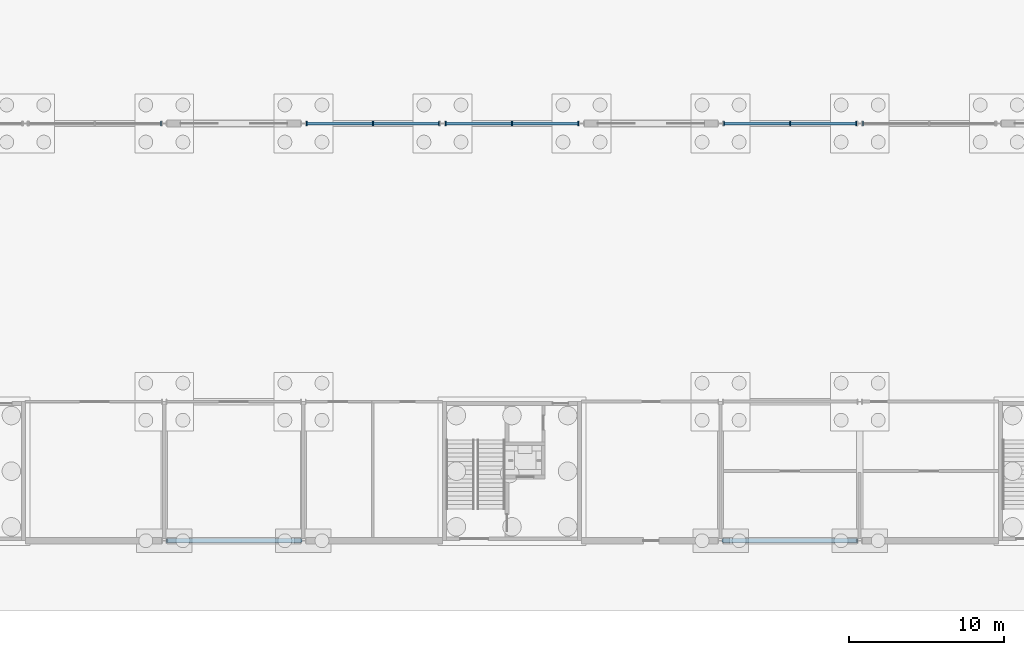
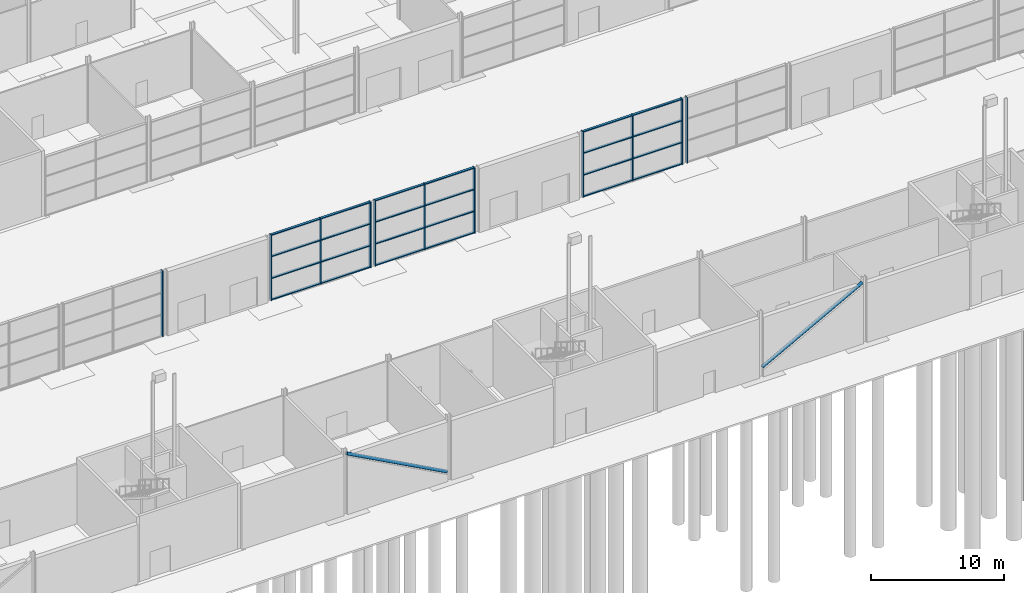
# One storey, part 35 of 97: 37 members, 5 elements without a shape of their own.
"""IFC4 building model written with IfcOpenShell, lengths in metres."""

import ifcopenshell
import ifcopenshell.guid

model = None  # the IFC model being written
_history = None  # IfcOwnerHistory: only IFC2X3 demands one
_inside = {}  # id of a spatial element -> (the spatial element, [elements in it])
_under = {}  # id of a project, library or spatial element -> (it, [spatial elements below it])
_declared = {}  # id of a project -> (the project, [libraries it declares])
_typed = {}  # id of a type object -> (the type object, [elements of that type])
_made_of = {}  # id of a material, layer set ... -> (it, [elements and type objects made of it])


def new_model(schema):
    """Start an empty IFC model of exactly this schema.

    Asked for "IFC4X3", IfcOpenShell would pick the latest addendum, in which some entities
    have other attributes; the version numbers below select the first issue.
    IFC2X3 requires an IfcOwnerHistory on every rooted entity: one is made here for all.
    """
    global model, _history
    if schema == "IFC4X3":
        model = ifcopenshell.file(schema_version=(4, 3, 0, 0))
    else:
        model = ifcopenshell.file(schema=schema)
    _inside.clear()
    _under.clear()
    _declared.clear()
    _typed.clear()
    _made_of.clear()
    _history = None
    if model.schema == "IFC2X3":
        org = make("IfcOrganization", Name="unknown")
        user = make(
            "IfcPersonAndOrganization",
            ThePerson=make("IfcPerson", FamilyName="unknown"),
            TheOrganization=org,
        )
        app = make(
            "IfcApplication",
            ApplicationDeveloper=org,
            Version="unknown",
            ApplicationFullName="unknown",
            ApplicationIdentifier="unknown",
        )
        _history = make(
            "IfcOwnerHistory",
            OwningUser=user,
            OwningApplication=app,
            ChangeAction="ADDED",
            CreationDate=0,
        )
    return model


def make(cls, **values):
    """One entity of the class cls with the attributes given. An attribute that is None is left unset."""
    return model.create_entity(
        cls, **{name: value for name, value in values.items() if value is not None}
    )


def rooted(cls, **values):
    """An entity with a GlobalId (a new one), such as an element, a storey or a relation."""
    return make(cls, GlobalId=ifcopenshell.guid.new(), OwnerHistory=_history, **values)


def si_unit(unit_type, name, prefix=None):
    """IfcSIUnit, for example si_unit("LENGTHUNIT", "METRE", prefix="MILLI")."""
    return make("IfcSIUnit", UnitType=unit_type, Prefix=prefix, Name=name)


def assignment(units):
    """IfcUnitAssignment: the units of a project."""
    return None if units is None else make("IfcUnitAssignment", Units=units)


def point(xyz):
    """IfcCartesianPoint."""
    return None if xyz is None else make("IfcCartesianPoint", Coordinates=xyz)


def direction(xyz):
    """IfcDirection."""
    return None if xyz is None else make("IfcDirection", DirectionRatios=xyz)


def frame(location, z_axis=None, x_axis=None):
    """IfcAxis2Placement3D, a coordinate frame: its origin and axes. An axis left out is left unset."""
    return make(
        "IfcAxis2Placement3D",
        Location=point(location),
        Axis=direction(z_axis),
        RefDirection=direction(x_axis),
    )


def frame_2d(location, x_axis=None):
    """IfcAxis2Placement2D, a coordinate frame in the plane: its origin and x axis."""
    return make(
        "IfcAxis2Placement2D", Location=point(location), RefDirection=direction(x_axis)
    )


def origin():
    """The frame at (0, 0, 0) with its axes left unset."""
    return frame((0.0, 0.0, 0.0))


def origin_2d():
    """The frame at (0, 0) in the plane with its x axis left unset."""
    return frame_2d((0.0, 0.0))


def place(relative_to, where):
    """IfcLocalPlacement: puts the frame where relative to a parent placement (None: the world)."""
    return make(
        "IfcLocalPlacement", PlacementRelTo=relative_to, RelativePlacement=where
    )


def context(
    kind, dimensions, precision=None, world=None, true_north=None, identifier=None
):
    """IfcGeometricRepresentationContext, for example the 3D "Model" context."""
    return make(
        "IfcGeometricRepresentationContext",
        ContextIdentifier=identifier,
        ContextType=kind,
        CoordinateSpaceDimension=dimensions,
        Precision=precision,
        WorldCoordinateSystem=world,
        TrueNorth=true_north,
    )


def subcontext(parent, identifier, kind, view, scale=None):
    """IfcGeometricRepresentationSubContext, for example "Body" below "Model"."""
    return make(
        "IfcGeometricRepresentationSubContext",
        ContextIdentifier=identifier,
        ContextType=kind,
        ParentContext=parent,
        TargetScale=scale,
        TargetView=view,
    )


def project(units=None, contexts=None):
    """IfcProject with its units and contexts."""
    return rooted(
        "IfcProject",
        Name="project",
        RepresentationContexts=contexts,
        UnitsInContext=assignment(units),
    )


def spatial(cls, under=None, at=None, **own):
    """A site, building, storey or space (cls), placed at a placement, below another one or the project."""
    s = rooted(cls, ObjectPlacement=at, **own)
    if under is not None:
        _under.setdefault(under.id(), (under, []))[1].append(s)
    return s


def profile(cls, at=None, kind="AREA", **sizes):
    """A parametric profile (cls). Its sizes go by their IFC names, for example OverallWidth=200.0."""
    return make(cls, ProfileType=kind, Position=at, **sizes)


def rectangle(**sizes):
    """IfcRectangleProfileDef."""
    return profile("IfcRectangleProfileDef", **sizes)


def hollow_circle(**sizes):
    """IfcCircleHollowProfileDef."""
    return profile("IfcCircleHollowProfileDef", **sizes)


def extrude(swept, where, along, depth):
    """IfcExtrudedAreaSolid: the profile swept, set in the frame where, extruded along a direction by depth."""
    return make(
        "IfcExtrudedAreaSolid",
        SweptArea=swept,
        Position=where,
        ExtrudedDirection=direction(along),
        Depth=depth,
    )


def shape(context_of_items, identifier, shape_type, items):
    """IfcShapeRepresentation: the items that make up one representation, for example the "Body"."""
    return make(
        "IfcShapeRepresentation",
        ContextOfItems=context_of_items,
        RepresentationIdentifier=identifier,
        RepresentationType=shape_type,
        Items=items,
    )


def material(Name=None, Category=None):
    """IfcMaterial."""
    return make("IfcMaterial", Name=Name, Category=Category)


def layer(
    of_material, thickness, ventilated=None, Name=None, Category=None, Priority=None
):
    """IfcMaterialLayer: one layer of a wall or slab, of a material (None: an air gap)."""
    return make(
        "IfcMaterialLayer",
        Material=of_material,
        LayerThickness=thickness,
        IsVentilated=ventilated,
        Name=Name,
        Category=Category,
        Priority=Priority,
    )


def layer_set(layers, Name=None):
    """IfcMaterialLayerSet."""
    return make("IfcMaterialLayerSet", MaterialLayers=layers, LayerSetName=Name)


def material_profile(
    of_material, cross_section, Name=None, Category=None, Priority=None
):
    """IfcMaterialProfile: a cross section and its material."""
    return make(
        "IfcMaterialProfile",
        Name=Name,
        Material=of_material,
        Profile=cross_section,
        Priority=Priority,
        Category=Category,
    )


def profile_set(profiles, Name=None, composite=None):
    """IfcMaterialProfileSet."""
    return make(
        "IfcMaterialProfileSet",
        Name=Name,
        MaterialProfiles=profiles,
        CompositeProfile=composite,
    )


def made_of(thing, what):
    """Note that an element or type object is made of a material, layer set ...; save() writes the relation."""
    if what is not None:
        _made_of.setdefault(what.id(), (what, []))[1].append(thing)
    return thing


def type_object(cls, material=None, **own):
    """A type object (cls), such as IfcWallType, which elements share."""
    return made_of(rooted(cls, **own), material)


def element(
    cls,
    number,
    at=None,
    inside=None,
    cuts=None,
    type_object=None,
    material=None,
    context=None,
    identifier="Body",
    shape_type=None,
    held_by="IfcProductDefinitionShape",
    body=None,
    shapes=None,
    **own,
):
    """One element of the class cls, such as IfcWall. Its Tag is "e" and its number.

    at: its placement. inside: the storey or other place that contains it. cuts: it is an
    opening in that element (IfcRelVoidsElement). A single representation is given by context,
    identifier, shape_type and body (its items); several are given by shapes. held_by: the class
    of the entity that holds the representations. save() writes the other relations.
    """
    e = rooted(cls, Tag="e%d" % number, ObjectPlacement=at, **own)
    if body is not None:
        shapes = [shape(context, identifier, shape_type, body)]
    if shapes is not None:
        e.Representation = make(held_by, Representations=shapes)
    if inside is not None:
        _inside.setdefault(inside.id(), (inside, []))[1].append(e)
    if cuts is not None:
        rooted(
            "IfcRelVoidsElement", RelatingBuildingElement=cuts, RelatedOpeningElement=e
        )
    if type_object is not None:
        _typed.setdefault(type_object.id(), (type_object, []))[1].append(e)
    return made_of(e, material)


def aggregate(whole, parts):
    """IfcRelAggregates: a whole, such as a stair, and the parts it consists of."""
    return rooted("IfcRelAggregates", RelatingObject=whole, RelatedObjects=parts)


def save(model, path):
    """Write the relations noted so far, then the file.

    IfcRelAggregates (storeys below a building ...), IfcRelContainedInSpatialStructure (elements
    in a storey), IfcRelDefinesByType, IfcRelAssociatesMaterial and IfcRelDeclares: one each for
    every whole, place, type object, material and project.
    """
    for whole, parts in _under.values():
        aggregate(whole, parts)
    for where, things in _inside.values():
        rooted(
            "IfcRelContainedInSpatialStructure",
            RelatedElements=things,
            RelatingStructure=where,
        )
    for kind, things in _typed.values():
        rooted("IfcRelDefinesByType", RelatedObjects=things, RelatingType=kind)
    for what, things in _made_of.values():
        rooted("IfcRelAssociatesMaterial", RelatedObjects=things, RelatingMaterial=what)
    for by, libraries in _declared.values():
        rooted("IfcRelDeclares", RelatingContext=by, RelatedDefinitions=libraries)
    model.write(path)


model = new_model("IFC4")

# Units and contexts
model_context = context("Model", 3, precision=1e-05, world=origin(), true_north=direction((0.0, 1.0)))
body_context = subcontext(model_context, "Body", "Model", "MODEL_VIEW")
ifc_project = project(units=[si_unit("LENGTHUNIT", "METRE"), si_unit("AREAUNIT", "SQUARE_METRE"), si_unit("VOLUMEUNIT", "CUBIC_METRE"), si_unit("PLANEANGLEUNIT", "RADIAN"), si_unit("MASSUNIT", "GRAM", prefix="KILO")], contexts=[model_context])

# Site, building, storey
site_placement = place(None, origin())
site = spatial("IfcSite", under=ifc_project, at=site_placement, CompositionType="ELEMENT")
building_placement = place(site_placement, origin())
building = spatial("IfcBuilding", under=site, at=building_placement, Name="Corbel Yard City Hall", CompositionType="ELEMENT")
storey_placement = place(building_placement, origin())
storey = spatial("IfcBuildingStorey", under=building, at=storey_placement, Name="L00", CompositionType="ELEMENT", Elevation=0.0)

# Members
ifc_material_1 = material(Name="Steel Grade C350L0", Category="steel")
ifc_material_profile_1 = material_profile(ifc_material_1, hollow_circle(Radius=0.136474609375, WallThickness=0.00927734375, at=origin_2d()), Name="273.1x9.3CHS")
ifc_profile_set_1 = profile_set([ifc_material_profile_1], Name="Steel Grade C350L0")
member_type_1 = type_object("IfcMemberType", Name="Braced bay diagonal 273.1x9.3CHS", PredefinedType="BRACE", material=ifc_profile_set_1)
for number, where, z_axis, x_axis, name in (
    (1, (63.157470703125, 0.0, 5.5), (0.879480850813, 0.0, -0.47593427388), (0.0, 1.0, 0.0), "Brace 273.1x9.3CHS BR1"),
    (2, (99.157470703125, 0.0, 0.800048828125), (0.879480850813, 0.0, 0.47593427388), (0.0, 1.0, 0.0), "Brace 273.1x9.3CHS BR1"),
):
    element("IfcMember", number, at=place(storey_placement, frame(where, z_axis=z_axis, x_axis=x_axis)), inside=storey, type_object=member_type_1, Name=name, PredefinedType="BRACE", context=body_context, shape_type="SweptSolid", body=[
        extrude(hollow_circle(Radius=0.136474609375, WallThickness=0.00927734375, at=origin_2d()), origin(), (0.0, 0.0, 1.0), 9.875244140625),
    ])

# Curtain wall, member
ifc_material_2 = material(Name="Aluminium extrusion", Category="aluminium")
ifc_layer = layer(ifc_material_2, 0.300048828125)
ifc_layer_set = layer_set([ifc_layer], Name="Aluminium extrusion")
curtain_wall_type = type_object("IfcCurtainWallType", Name="CW7", PredefinedType="USERDEFINED", material=ifc_layer_set)
curtain_wall_1_placement = place(storey_placement, origin())
curtain_wall_1 = element("IfcCurtainWall", 3, at=curtain_wall_1_placement, inside=storey, type_object=curtain_wall_type, Name="Curtain wall CW7 L00", ObjectType="CURTAIN WALL", PredefinedType="USERDEFINED")
ifc_material_profile_2 = material_profile(ifc_material_2, rectangle(XDim=0.300048828125, YDim=0.080078125, at=origin_2d()), Name="300x80")
ifc_profile_set_2 = profile_set([ifc_material_profile_2], Name="Aluminium extrusion")
member_type_2 = type_object("IfcMemberType", Name="ML7", PredefinedType="MULLION", material=ifc_profile_set_2)
member_1_placement = place(storey_placement, frame((62.79638671875, 27.0, 0.0), z_axis=(0.0, 0.0, 1.0), x_axis=(0.0, 1.0, 0.0)))
member_1 = element("IfcMember", 4, at=member_1_placement, type_object=member_type_2, Name="CW7 mullion 3", PredefinedType="MULLION", context=body_context, shape_type="SweptSolid", body=[
    extrude(rectangle(XDim=0.300048828125, YDim=0.080078125, at=origin_2d()), origin(), (0.0, 0.0, 1.0), 6.0),
])
aggregate(curtain_wall_1, [member_1])

# Curtain wall, members
curtain_wall_2_placement = place(storey_placement, origin())
curtain_wall_2 = element("IfcCurtainWall", 5, at=curtain_wall_2_placement, inside=storey, type_object=curtain_wall_type, Name="Curtain wall CW7 L00", ObjectType="CURTAIN WALL", PredefinedType="USERDEFINED")
member_2_placement = place(storey_placement, frame((72.20361328125, 27.0, 0.0), z_axis=(0.0, 0.0, 1.0), x_axis=(0.0, 1.0, 0.0)))
member_2 = element("IfcMember", 6, at=member_2_placement, type_object=member_type_2, Name="CW7 mullion 1", PredefinedType="MULLION", context=body_context, shape_type="SweptSolid", body=[
    extrude(rectangle(XDim=0.300048828125, YDim=0.080078125, at=origin_2d()), origin(), (0.0, 0.0, 1.0), 6.0),
])
member_3_placement = place(storey_placement, frame((76.5, 27.0, 0.0), z_axis=(0.0, 0.0, 1.0), x_axis=(0.0, 1.0, 0.0)))
member_3 = element("IfcMember", 7, at=member_3_placement, type_object=member_type_2, Name="CW7 mullion 2", PredefinedType="MULLION", context=body_context, shape_type="SweptSolid", body=[
    extrude(rectangle(XDim=0.300048828125, YDim=0.080078125, at=origin_2d()), origin(), (0.0, 0.0, 1.0), 6.0),
])
member_4_placement = place(storey_placement, frame((80.79638671875, 27.0, 0.0), z_axis=(0.0, 0.0, 1.0), x_axis=(0.0, 1.0, 0.0)))
member_4 = element("IfcMember", 8, at=member_4_placement, type_object=member_type_2, Name="CW7 mullion 3", PredefinedType="MULLION", context=body_context, shape_type="SweptSolid", body=[
    extrude(rectangle(XDim=0.300048828125, YDim=0.080078125, at=origin_2d()), origin(), (0.0, 0.0, 1.0), 6.0),
])

curtain_wall_3_placement = place(storey_placement, origin())
curtain_wall_3 = element("IfcCurtainWall", 9, at=curtain_wall_3_placement, inside=storey, type_object=curtain_wall_type, Name="Curtain wall CW7 L00", ObjectType="CURTAIN WALL", PredefinedType="USERDEFINED")
member_5_placement = place(storey_placement, frame((81.20361328125, 27.0, 0.0), z_axis=(0.0, 0.0, 1.0), x_axis=(0.0, 1.0, 0.0)))
member_5 = element("IfcMember", 10, at=member_5_placement, type_object=member_type_2, Name="CW7 mullion 1", PredefinedType="MULLION", context=body_context, shape_type="SweptSolid", body=[
    extrude(rectangle(XDim=0.300048828125, YDim=0.080078125, at=origin_2d()), origin(), (0.0, 0.0, 1.0), 6.0),
])
member_6_placement = place(storey_placement, frame((85.5, 27.0, 0.0), z_axis=(0.0, 0.0, 1.0), x_axis=(0.0, 1.0, 0.0)))
member_6 = element("IfcMember", 11, at=member_6_placement, type_object=member_type_2, Name="CW7 mullion 2", PredefinedType="MULLION", context=body_context, shape_type="SweptSolid", body=[
    extrude(rectangle(XDim=0.300048828125, YDim=0.080078125, at=origin_2d()), origin(), (0.0, 0.0, 1.0), 6.0),
])
member_7_placement = place(storey_placement, frame((89.79638671875, 27.0, 0.0), z_axis=(0.0, 0.0, 1.0), x_axis=(0.0, 1.0, 0.0)))
member_7 = element("IfcMember", 12, at=member_7_placement, type_object=member_type_2, Name="CW7 mullion 3", PredefinedType="MULLION", context=body_context, shape_type="SweptSolid", body=[
    extrude(rectangle(XDim=0.300048828125, YDim=0.080078125, at=origin_2d()), origin(), (0.0, 0.0, 1.0), 6.0),
])

curtain_wall_4_placement = place(storey_placement, origin())
curtain_wall_4 = element("IfcCurtainWall", 13, at=curtain_wall_4_placement, inside=storey, type_object=curtain_wall_type, Name="Curtain wall CW7 L00", ObjectType="CURTAIN WALL", PredefinedType="USERDEFINED")
member_8_placement = place(storey_placement, frame((99.20361328125, 27.0, 0.0), z_axis=(0.0, 0.0, 1.0), x_axis=(0.0, 1.0, 0.0)))
member_8 = element("IfcMember", 14, at=member_8_placement, type_object=member_type_2, Name="CW7 mullion 1", PredefinedType="MULLION", context=body_context, shape_type="SweptSolid", body=[
    extrude(rectangle(XDim=0.300048828125, YDim=0.080078125, at=origin_2d()), origin(), (0.0, 0.0, 1.0), 6.0),
])
member_9_placement = place(storey_placement, frame((103.5, 27.0, 0.0), z_axis=(0.0, 0.0, 1.0), x_axis=(0.0, 1.0, 0.0)))
member_9 = element("IfcMember", 15, at=member_9_placement, type_object=member_type_2, Name="CW7 mullion 2", PredefinedType="MULLION", context=body_context, shape_type="SweptSolid", body=[
    extrude(rectangle(XDim=0.300048828125, YDim=0.080078125, at=origin_2d()), origin(), (0.0, 0.0, 1.0), 6.0),
])
member_10_placement = place(storey_placement, frame((107.79638671875, 27.0, 0.0), z_axis=(0.0, 0.0, 1.0), x_axis=(0.0, 1.0, 0.0)))
member_10 = element("IfcMember", 16, at=member_10_placement, type_object=member_type_2, Name="CW7 mullion 3", PredefinedType="MULLION", context=body_context, shape_type="SweptSolid", body=[
    extrude(rectangle(XDim=0.300048828125, YDim=0.080078125, at=origin_2d()), origin(), (0.0, 0.0, 1.0), 6.0),
])

# Curtain wall, member
curtain_wall_5_placement = place(storey_placement, origin())
curtain_wall_5 = element("IfcCurtainWall", 17, at=curtain_wall_5_placement, inside=storey, type_object=curtain_wall_type, Name="Curtain wall CW7 L00", ObjectType="CURTAIN WALL", PredefinedType="USERDEFINED")
member_11_placement = place(storey_placement, frame((108.20361328125, 27.0, 0.0), z_axis=(0.0, 0.0, 1.0), x_axis=(0.0, 1.0, 0.0)))
member_11 = element("IfcMember", 18, at=member_11_placement, type_object=member_type_2, Name="CW7 mullion 1", PredefinedType="MULLION", context=body_context, shape_type="SweptSolid", body=[
    extrude(rectangle(XDim=0.300048828125, YDim=0.080078125, at=origin_2d()), origin(), (0.0, 0.0, 1.0), 6.0),
])
aggregate(curtain_wall_5, [member_11])

# Member
ifc_material_profile_3 = material_profile(ifc_material_2, rectangle(XDim=0.199951171875, YDim=0.080078125, at=origin_2d()), Name="200x80")
ifc_profile_set_3 = profile_set([ifc_material_profile_3], Name="Aluminium extrusion")
member_type_3 = type_object("IfcMemberType", Name="TR7", PredefinedType="USERDEFINED", material=ifc_profile_set_3)
member_12_placement = place(storey_placement, frame((72.243408203125, 27.0, 0.0400390625), z_axis=(1.0, 0.0, 0.0), x_axis=(0.0, 1.0, 0.0)))
member_12 = element("IfcMember", 19, at=member_12_placement, type_object=member_type_3, Name="CW7 transom 1.1", ObjectType="TRANSOM", PredefinedType="USERDEFINED", context=body_context, shape_type="SweptSolid", body=[
    extrude(rectangle(XDim=0.199951171875, YDim=0.080078125, at=origin_2d()), origin(), (0.0, 0.0, 1.0), 4.216552734375),
])

member_13_placement = place(storey_placement, frame((72.243408203125, 27.0, 2.0), z_axis=(1.0, 0.0, 0.0), x_axis=(0.0, 1.0, 0.0)))
member_13 = element("IfcMember", 20, at=member_13_placement, type_object=member_type_3, Name="CW7 transom 1.2", ObjectType="TRANSOM", PredefinedType="USERDEFINED", context=body_context, shape_type="SweptSolid", body=[
    extrude(rectangle(XDim=0.199951171875, YDim=0.080078125, at=origin_2d()), origin(), (0.0, 0.0, 1.0), 4.216552734375),
])

member_14_placement = place(storey_placement, frame((72.243408203125, 27.0, 4.0), z_axis=(1.0, 0.0, 0.0), x_axis=(0.0, 1.0, 0.0)))
member_14 = element("IfcMember", 21, at=member_14_placement, type_object=member_type_3, Name="CW7 transom 1.3", ObjectType="TRANSOM", PredefinedType="USERDEFINED", context=body_context, shape_type="SweptSolid", body=[
    extrude(rectangle(XDim=0.199951171875, YDim=0.080078125, at=origin_2d()), origin(), (0.0, 0.0, 1.0), 4.216552734375),
])

member_15_placement = place(storey_placement, frame((72.243408203125, 27.0, 5.9599609375), z_axis=(1.0, 0.0, 0.0), x_axis=(0.0, 1.0, 0.0)))
member_15 = element("IfcMember", 22, at=member_15_placement, type_object=member_type_3, Name="CW7 transom 1.4", ObjectType="TRANSOM", PredefinedType="USERDEFINED", context=body_context, shape_type="SweptSolid", body=[
    extrude(rectangle(XDim=0.199951171875, YDim=0.080078125, at=origin_2d()), origin(), (0.0, 0.0, 1.0), 4.216552734375),
])

member_16_placement = place(storey_placement, frame((76.5400390625, 27.0, 0.0400390625), z_axis=(1.0, 0.0, 0.0), x_axis=(0.0, 1.0, 0.0)))
member_16 = element("IfcMember", 23, at=member_16_placement, type_object=member_type_3, Name="CW7 transom 2.1", ObjectType="TRANSOM", PredefinedType="USERDEFINED", context=body_context, shape_type="SweptSolid", body=[
    extrude(rectangle(XDim=0.199951171875, YDim=0.080078125, at=origin_2d()), origin(), (0.0, 0.0, 1.0), 4.216552734375),
])

member_17_placement = place(storey_placement, frame((76.5400390625, 27.0, 2.0), z_axis=(1.0, 0.0, 0.0), x_axis=(0.0, 1.0, 0.0)))
member_17 = element("IfcMember", 24, at=member_17_placement, type_object=member_type_3, Name="CW7 transom 2.2", ObjectType="TRANSOM", PredefinedType="USERDEFINED", context=body_context, shape_type="SweptSolid", body=[
    extrude(rectangle(XDim=0.199951171875, YDim=0.080078125, at=origin_2d()), origin(), (0.0, 0.0, 1.0), 4.216552734375),
])

member_18_placement = place(storey_placement, frame((76.5400390625, 27.0, 4.0), z_axis=(1.0, 0.0, 0.0), x_axis=(0.0, 1.0, 0.0)))
member_18 = element("IfcMember", 25, at=member_18_placement, type_object=member_type_3, Name="CW7 transom 2.3", ObjectType="TRANSOM", PredefinedType="USERDEFINED", context=body_context, shape_type="SweptSolid", body=[
    extrude(rectangle(XDim=0.199951171875, YDim=0.080078125, at=origin_2d()), origin(), (0.0, 0.0, 1.0), 4.216552734375),
])

member_19_placement = place(storey_placement, frame((76.5400390625, 27.0, 5.9599609375), z_axis=(1.0, 0.0, 0.0), x_axis=(0.0, 1.0, 0.0)))
member_19 = element("IfcMember", 26, at=member_19_placement, type_object=member_type_3, Name="CW7 transom 2.4", ObjectType="TRANSOM", PredefinedType="USERDEFINED", context=body_context, shape_type="SweptSolid", body=[
    extrude(rectangle(XDim=0.199951171875, YDim=0.080078125, at=origin_2d()), origin(), (0.0, 0.0, 1.0), 4.216552734375),
])

aggregate(curtain_wall_2, [member_2, member_3, member_4, member_12, member_13, member_14, member_15, member_16, member_17, member_18, member_19])

member_20_placement = place(storey_placement, frame((81.243408203125, 27.0, 0.0400390625), z_axis=(1.0, 0.0, 0.0), x_axis=(0.0, 1.0, 0.0)))
member_20 = element("IfcMember", 27, at=member_20_placement, type_object=member_type_3, Name="CW7 transom 1.1", ObjectType="TRANSOM", PredefinedType="USERDEFINED", context=body_context, shape_type="SweptSolid", body=[
    extrude(rectangle(XDim=0.199951171875, YDim=0.080078125, at=origin_2d()), origin(), (0.0, 0.0, 1.0), 4.216552734375),
])

member_21_placement = place(storey_placement, frame((81.243408203125, 27.0, 2.0), z_axis=(1.0, 0.0, 0.0), x_axis=(0.0, 1.0, 0.0)))
member_21 = element("IfcMember", 28, at=member_21_placement, type_object=member_type_3, Name="CW7 transom 1.2", ObjectType="TRANSOM", PredefinedType="USERDEFINED", context=body_context, shape_type="SweptSolid", body=[
    extrude(rectangle(XDim=0.199951171875, YDim=0.080078125, at=origin_2d()), origin(), (0.0, 0.0, 1.0), 4.216552734375),
])

member_22_placement = place(storey_placement, frame((81.243408203125, 27.0, 4.0), z_axis=(1.0, 0.0, 0.0), x_axis=(0.0, 1.0, 0.0)))
member_22 = element("IfcMember", 29, at=member_22_placement, type_object=member_type_3, Name="CW7 transom 1.3", ObjectType="TRANSOM", PredefinedType="USERDEFINED", context=body_context, shape_type="SweptSolid", body=[
    extrude(rectangle(XDim=0.199951171875, YDim=0.080078125, at=origin_2d()), origin(), (0.0, 0.0, 1.0), 4.216552734375),
])

member_23_placement = place(storey_placement, frame((81.243408203125, 27.0, 5.9599609375), z_axis=(1.0, 0.0, 0.0), x_axis=(0.0, 1.0, 0.0)))
member_23 = element("IfcMember", 30, at=member_23_placement, type_object=member_type_3, Name="CW7 transom 1.4", ObjectType="TRANSOM", PredefinedType="USERDEFINED", context=body_context, shape_type="SweptSolid", body=[
    extrude(rectangle(XDim=0.199951171875, YDim=0.080078125, at=origin_2d()), origin(), (0.0, 0.0, 1.0), 4.216552734375),
])

member_24_placement = place(storey_placement, frame((85.5400390625, 27.0, 0.0400390625), z_axis=(1.0, 0.0, 0.0), x_axis=(0.0, 1.0, 0.0)))
member_24 = element("IfcMember", 31, at=member_24_placement, type_object=member_type_3, Name="CW7 transom 2.1", ObjectType="TRANSOM", PredefinedType="USERDEFINED", context=body_context, shape_type="SweptSolid", body=[
    extrude(rectangle(XDim=0.199951171875, YDim=0.080078125, at=origin_2d()), origin(), (0.0, 0.0, 1.0), 4.216552734375),
])

member_25_placement = place(storey_placement, frame((85.5400390625, 27.0, 2.0), z_axis=(1.0, 0.0, 0.0), x_axis=(0.0, 1.0, 0.0)))
member_25 = element("IfcMember", 32, at=member_25_placement, type_object=member_type_3, Name="CW7 transom 2.2", ObjectType="TRANSOM", PredefinedType="USERDEFINED", context=body_context, shape_type="SweptSolid", body=[
    extrude(rectangle(XDim=0.199951171875, YDim=0.080078125, at=origin_2d()), origin(), (0.0, 0.0, 1.0), 4.216552734375),
])

member_26_placement = place(storey_placement, frame((85.5400390625, 27.0, 4.0), z_axis=(1.0, 0.0, 0.0), x_axis=(0.0, 1.0, 0.0)))
member_26 = element("IfcMember", 33, at=member_26_placement, type_object=member_type_3, Name="CW7 transom 2.3", ObjectType="TRANSOM", PredefinedType="USERDEFINED", context=body_context, shape_type="SweptSolid", body=[
    extrude(rectangle(XDim=0.199951171875, YDim=0.080078125, at=origin_2d()), origin(), (0.0, 0.0, 1.0), 4.216552734375),
])

member_27_placement = place(storey_placement, frame((85.5400390625, 27.0, 5.9599609375), z_axis=(1.0, 0.0, 0.0), x_axis=(0.0, 1.0, 0.0)))
member_27 = element("IfcMember", 34, at=member_27_placement, type_object=member_type_3, Name="CW7 transom 2.4", ObjectType="TRANSOM", PredefinedType="USERDEFINED", context=body_context, shape_type="SweptSolid", body=[
    extrude(rectangle(XDim=0.199951171875, YDim=0.080078125, at=origin_2d()), origin(), (0.0, 0.0, 1.0), 4.216552734375),
])

aggregate(curtain_wall_3, [member_5, member_6, member_7, member_20, member_21, member_22, member_23, member_24, member_25, member_26, member_27])

member_28_placement = place(storey_placement, frame((99.243408203125, 27.0, 0.0400390625), z_axis=(1.0, 0.0, 0.0), x_axis=(0.0, 1.0, 0.0)))
member_28 = element("IfcMember", 35, at=member_28_placement, type_object=member_type_3, Name="CW7 transom 1.1", ObjectType="TRANSOM", PredefinedType="USERDEFINED", context=body_context, shape_type="SweptSolid", body=[
    extrude(rectangle(XDim=0.199951171875, YDim=0.080078125, at=origin_2d()), origin(), (0.0, 0.0, 1.0), 4.216552734375),
])

member_29_placement = place(storey_placement, frame((99.243408203125, 27.0, 2.0), z_axis=(1.0, 0.0, 0.0), x_axis=(0.0, 1.0, 0.0)))
member_29 = element("IfcMember", 36, at=member_29_placement, type_object=member_type_3, Name="CW7 transom 1.2", ObjectType="TRANSOM", PredefinedType="USERDEFINED", context=body_context, shape_type="SweptSolid", body=[
    extrude(rectangle(XDim=0.199951171875, YDim=0.080078125, at=origin_2d()), origin(), (0.0, 0.0, 1.0), 4.216552734375),
])

member_30_placement = place(storey_placement, frame((99.243408203125, 27.0, 4.0), z_axis=(1.0, 0.0, 0.0), x_axis=(0.0, 1.0, 0.0)))
member_30 = element("IfcMember", 37, at=member_30_placement, type_object=member_type_3, Name="CW7 transom 1.3", ObjectType="TRANSOM", PredefinedType="USERDEFINED", context=body_context, shape_type="SweptSolid", body=[
    extrude(rectangle(XDim=0.199951171875, YDim=0.080078125, at=origin_2d()), origin(), (0.0, 0.0, 1.0), 4.216552734375),
])

member_31_placement = place(storey_placement, frame((99.243408203125, 27.0, 5.9599609375), z_axis=(1.0, 0.0, 0.0), x_axis=(0.0, 1.0, 0.0)))
member_31 = element("IfcMember", 38, at=member_31_placement, type_object=member_type_3, Name="CW7 transom 1.4", ObjectType="TRANSOM", PredefinedType="USERDEFINED", context=body_context, shape_type="SweptSolid", body=[
    extrude(rectangle(XDim=0.199951171875, YDim=0.080078125, at=origin_2d()), origin(), (0.0, 0.0, 1.0), 4.216552734375),
])

member_32_placement = place(storey_placement, frame((103.5400390625, 27.0, 0.0400390625), z_axis=(1.0, 0.0, 0.0), x_axis=(0.0, 1.0, 0.0)))
member_32 = element("IfcMember", 39, at=member_32_placement, type_object=member_type_3, Name="CW7 transom 2.1", ObjectType="TRANSOM", PredefinedType="USERDEFINED", context=body_context, shape_type="SweptSolid", body=[
    extrude(rectangle(XDim=0.199951171875, YDim=0.080078125, at=origin_2d()), origin(), (0.0, 0.0, 1.0), 4.216552734375),
])

member_33_placement = place(storey_placement, frame((103.5400390625, 27.0, 2.0), z_axis=(1.0, 0.0, 0.0), x_axis=(0.0, 1.0, 0.0)))
member_33 = element("IfcMember", 40, at=member_33_placement, type_object=member_type_3, Name="CW7 transom 2.2", ObjectType="TRANSOM", PredefinedType="USERDEFINED", context=body_context, shape_type="SweptSolid", body=[
    extrude(rectangle(XDim=0.199951171875, YDim=0.080078125, at=origin_2d()), origin(), (0.0, 0.0, 1.0), 4.216552734375),
])

member_34_placement = place(storey_placement, frame((103.5400390625, 27.0, 4.0), z_axis=(1.0, 0.0, 0.0), x_axis=(0.0, 1.0, 0.0)))
member_34 = element("IfcMember", 41, at=member_34_placement, type_object=member_type_3, Name="CW7 transom 2.3", ObjectType="TRANSOM", PredefinedType="USERDEFINED", context=body_context, shape_type="SweptSolid", body=[
    extrude(rectangle(XDim=0.199951171875, YDim=0.080078125, at=origin_2d()), origin(), (0.0, 0.0, 1.0), 4.216552734375),
])

member_35_placement = place(storey_placement, frame((103.5400390625, 27.0, 5.9599609375), z_axis=(1.0, 0.0, 0.0), x_axis=(0.0, 1.0, 0.0)))
member_35 = element("IfcMember", 42, at=member_35_placement, type_object=member_type_3, Name="CW7 transom 2.4", ObjectType="TRANSOM", PredefinedType="USERDEFINED", context=body_context, shape_type="SweptSolid", body=[
    extrude(rectangle(XDim=0.199951171875, YDim=0.080078125, at=origin_2d()), origin(), (0.0, 0.0, 1.0), 4.216552734375),
])

aggregate(curtain_wall_4, [member_8, member_9, member_10, member_28, member_29, member_30, member_31, member_32, member_33, member_34, member_35])

save(model, "model.ifc")
